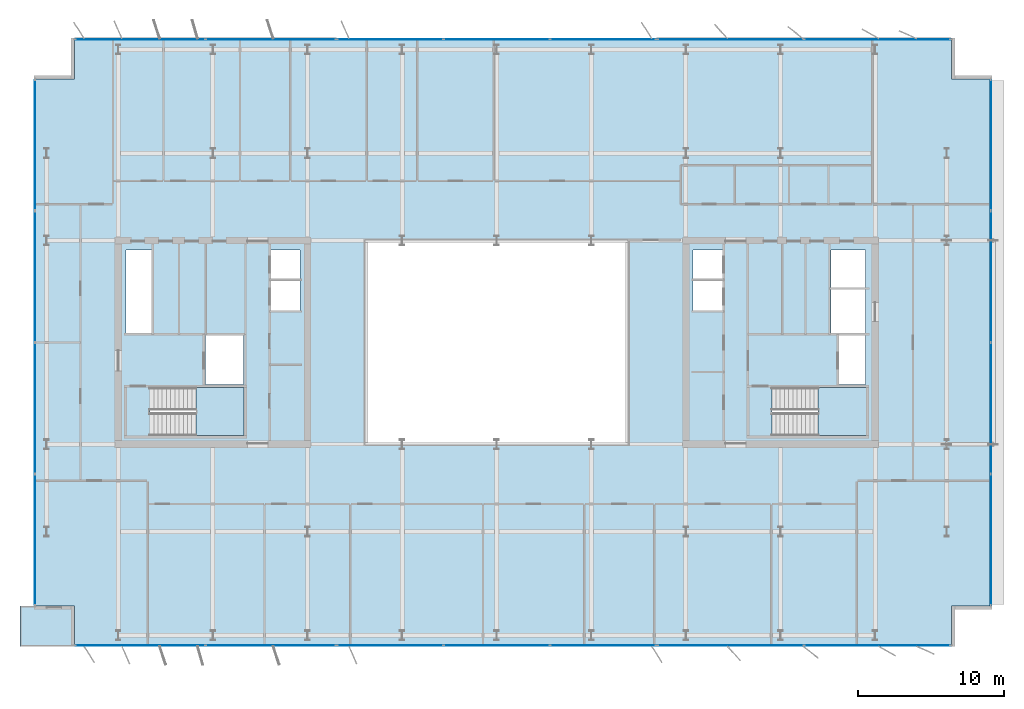
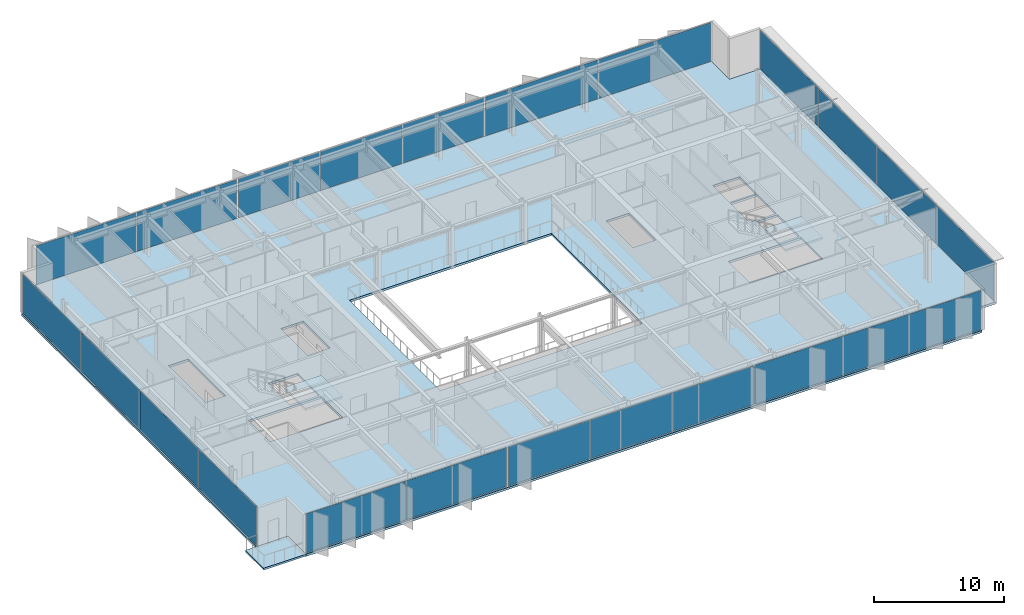
# One storey, part 11 of 20: 22 plates, 4 slabs, 10 elements without a shape of their own.
"""IFC4 building model written with IfcOpenShell, lengths in metres."""

from ifc_helpers import new_model, si_unit, direction, frame, origin, origin_2d, place, context, subcontext, project, spatial, polyline, rectangle, outline, extrude, material, layer, layer_set, type_object, element, aggregate, save


model = new_model("IFC4")

# Units and contexts
model_context = context("Model", 3, precision=1e-05, world=origin(), true_north=direction((0.0, 1.0)))
body_context = subcontext(model_context, "Body", "Model", "MODEL_VIEW")
ifc_project = project(units=[si_unit("LENGTHUNIT", "METRE"), si_unit("AREAUNIT", "SQUARE_METRE"), si_unit("VOLUMEUNIT", "CUBIC_METRE"), si_unit("PLANEANGLEUNIT", "RADIAN"), si_unit("MASSUNIT", "GRAM", prefix="KILO")], contexts=[model_context])

# Site, building, storey
site_placement = place(None, origin())
site = spatial("IfcSite", under=ifc_project, at=site_placement, CompositionType="ELEMENT")
building_placement = place(site_placement, origin())
building = spatial("IfcBuilding", under=site, at=building_placement, Name="Putna Gate Headquarters", CompositionType="ELEMENT")
storey_placement = place(building_placement, frame((0.0, 0.0, 286.39990234375)))
storey = spatial("IfcBuildingStorey", under=building, at=storey_placement, Name="L72", CompositionType="ELEMENT", Elevation=286.39990234375)

# Stair, slab
ifc_material_1 = material(Name="Concrete C40/50", Category="concrete")
stair_type_1 = type_object("IfcStairType", Name="STAIR-ST1", PredefinedType="HALF_TURN_STAIR", material=ifc_material_1)
stair_1_placement = place(storey_placement, origin())
stair_1 = element("IfcStair", 1, at=stair_1_placement, inside=storey, type_object=stair_type_1, Name="L72 West Core Exit Stair ST1", PredefinedType="HALF_TURN_STAIR")
ifc_layer_1 = layer(ifc_material_1, 0.199951171875)
ifc_layer_set_1 = layer_set([ifc_layer_1], Name="Concrete C40/50")
slab_type_1 = type_object("IfcSlabType", Name="LANDING-ST1", PredefinedType="LANDING", material=ifc_layer_set_1)
slab_1_placement = place(storey_placement, frame((0.0, 0.0, 1.800048828125)))
slab_1 = element("IfcSlab", 2, at=slab_1_placement, type_object=slab_type_1, Name="ST1 landing 1", PredefinedType="LANDING", context=body_context, shape_type="SweptSolid", body=[
    extrude(outline(polyline([(18.340087890625, 19.60009765625), (21.64990234375, 19.60009765625), (21.64990234375, 22.89990234375), (18.340087890625, 22.89990234375), (18.340087890625, 19.60009765625)])), origin(), (0.0, 0.0, 1.0), 0.199951171875),
])
aggregate(stair_1, [slab_1])

stair_type_2 = type_object("IfcStairType", Name="STAIR-ST2", PredefinedType="HALF_TURN_STAIR", material=ifc_material_1)
stair_2_placement = place(storey_placement, origin())
stair_2 = element("IfcStair", 3, at=stair_2_placement, inside=storey, type_object=stair_type_2, Name="L72 East Core Exit Stair ST2", PredefinedType="HALF_TURN_STAIR")
ifc_layer_2 = layer(ifc_material_1, 0.199951171875)
ifc_layer_set_2 = layer_set([ifc_layer_2], Name="Concrete C40/50")
slab_type_2 = type_object("IfcSlabType", Name="LANDING-ST2", PredefinedType="LANDING", material=ifc_layer_set_2)
slab_2_placement = place(storey_placement, frame((0.0, 0.0, 1.800048828125)))
slab_2 = element("IfcSlab", 4, at=slab_2_placement, type_object=slab_type_2, Name="ST2 landing 1", PredefinedType="LANDING", context=body_context, shape_type="SweptSolid", body=[
    extrude(outline(polyline([(61.090087890625, 19.60009765625), (64.39990234375, 19.60009765625), (64.39990234375, 22.89990234375), (61.090087890625, 22.89990234375), (61.090087890625, 19.60009765625)])), origin(), (0.0, 0.0, 1.0), 0.199951171875),
])
aggregate(stair_2, [slab_2])

# Curtain wall, plates
ifc_material_2 = material(Name="Anodised bronze aluminium curtain wall", Category="aluminium")
ifc_layer_3 = layer(ifc_material_2, 0.179931640625)
ifc_layer_set_3 = layer_set([ifc_layer_3], Name="Anodised bronze aluminium curtain wall")
curtain_wall_type_1 = type_object("IfcCurtainWallType", Name="CW-SYS-Z5", PredefinedType="USERDEFINED", material=ifc_layer_set_3)
curtain_wall_1_placement = place(storey_placement, origin())
curtain_wall_1 = element("IfcCurtainWall", 5, at=curtain_wall_1_placement, inside=storey, type_object=curtain_wall_type_1, Name="L72 South West Curtain Wall", ObjectType="STICK CURTAIN WALL", PredefinedType="USERDEFINED")
ifc_material_3 = material(Name="Solar-control triple low-E glass", Category="glass")
ifc_layer_4 = layer(ifc_material_3, 0.033935546875)
ifc_layer_set_4 = layer_set([ifc_layer_4], Name="Solar-control triple low-E glass")
plate_type_1 = type_object("IfcPlateType", Name="PAN-CWP-5", PredefinedType="CURTAIN_PANEL", material=ifc_layer_set_4)
plate_1_placement = place(storey_placement, frame((14.517578125, 5.179931640625, 0.06005859375), z_axis=(0.0, 0.0, 1.0), x_axis=(1.0, 0.0, 0.0)))
plate_1 = element("IfcPlate", 6, at=plate_1_placement, type_object=plate_type_1, Name="CWS-5 panel 1.1", PredefinedType="CURTAIN_PANEL", context=body_context, shape_type="SweptSolid", body=[
    extrude(rectangle(XDim=8.89501953125, YDim=0.033935546875, at=origin_2d()), origin(), (0.0, 0.0, 1.0), 3.66796875),
])
plate_2_placement = place(storey_placement, frame((23.482421875, 5.179931640625, 0.06005859375), z_axis=(0.0, 0.0, 1.0), x_axis=(1.0, 0.0, 0.0)))
plate_2 = element("IfcPlate", 7, at=plate_2_placement, type_object=plate_type_1, Name="CWS-5 panel 2.1", PredefinedType="CURTAIN_PANEL", context=body_context, shape_type="SweptSolid", body=[
    extrude(rectangle(XDim=8.89501953125, YDim=0.033935546875, at=origin_2d()), origin(), (0.0, 0.0, 1.0), 3.66796875),
])
aggregate(curtain_wall_1, [plate_1, plate_2])

curtain_wall_2_placement = place(storey_placement, origin())
curtain_wall_2 = element("IfcCurtainWall", 8, at=curtain_wall_2_placement, inside=storey, type_object=curtain_wall_type_1, Name="L72 South East Curtain Wall", ObjectType="STICK CURTAIN WALL", PredefinedType="USERDEFINED")
plate_3_placement = place(storey_placement, frame((55.076171875, 5.179931640625, 0.06005859375), z_axis=(0.0, 0.0, 1.0), x_axis=(1.0, 0.0, 0.0)))
plate_3 = element("IfcPlate", 9, at=plate_3_placement, type_object=plate_type_1, Name="CWS-5 panel 1.1", PredefinedType="CURTAIN_PANEL", context=body_context, shape_type="SweptSolid", body=[
    extrude(rectangle(XDim=10.012451171875, YDim=0.033935546875, at=origin_2d()), origin(), (0.0, 0.0, 1.0), 3.66796875),
])
plate_4_placement = place(storey_placement, frame((65.158935546875, 5.179931640625, 0.06005859375), z_axis=(0.0, 0.0, 1.0), x_axis=(1.0, 0.0, 0.0)))
plate_4 = element("IfcPlate", 10, at=plate_4_placement, type_object=plate_type_1, Name="CWS-5 panel 2.1", PredefinedType="CURTAIN_PANEL", context=body_context, shape_type="SweptSolid", body=[
    extrude(rectangle(XDim=10.012451171875, YDim=0.033935546875, at=origin_2d()), origin(), (0.0, 0.0, 1.0), 3.66796875),
])
aggregate(curtain_wall_2, [plate_3, plate_4])

curtain_wall_3_placement = place(storey_placement, origin())
curtain_wall_3 = element("IfcCurtainWall", 11, at=curtain_wall_3_placement, inside=storey, type_object=curtain_wall_type_1, Name="L72 North West Curtain Wall", ObjectType="STICK CURTAIN WALL", PredefinedType="USERDEFINED")
plate_5_placement = place(storey_placement, frame((14.517578125, 46.820068359375, 0.06005859375), z_axis=(0.0, 0.0, 1.0), x_axis=(1.0, 0.0, 0.0)))
plate_5 = element("IfcPlate", 12, at=plate_5_placement, type_object=plate_type_1, Name="CWS-5 panel 1.1", PredefinedType="CURTAIN_PANEL", context=body_context, shape_type="SweptSolid", body=[
    extrude(rectangle(XDim=8.89501953125, YDim=0.033935546875, at=origin_2d()), origin(), (0.0, 0.0, 1.0), 3.66796875),
])
plate_6_placement = place(storey_placement, frame((23.482421875, 46.820068359375, 0.06005859375), z_axis=(0.0, 0.0, 1.0), x_axis=(1.0, 0.0, 0.0)))
plate_6 = element("IfcPlate", 13, at=plate_6_placement, type_object=plate_type_1, Name="CWS-5 panel 2.1", PredefinedType="CURTAIN_PANEL", context=body_context, shape_type="SweptSolid", body=[
    extrude(rectangle(XDim=8.89501953125, YDim=0.033935546875, at=origin_2d()), origin(), (0.0, 0.0, 1.0), 3.66796875),
])
aggregate(curtain_wall_3, [plate_5, plate_6])

curtain_wall_4_placement = place(storey_placement, origin())
curtain_wall_4 = element("IfcCurtainWall", 14, at=curtain_wall_4_placement, inside=storey, type_object=curtain_wall_type_1, Name="L72 North East Curtain Wall", ObjectType="STICK CURTAIN WALL", PredefinedType="USERDEFINED")
plate_7_placement = place(storey_placement, frame((55.076171875, 46.820068359375, 0.06005859375), z_axis=(0.0, 0.0, 1.0), x_axis=(1.0, 0.0, 0.0)))
plate_7 = element("IfcPlate", 15, at=plate_7_placement, type_object=plate_type_1, Name="CWS-5 panel 1.1", PredefinedType="CURTAIN_PANEL", context=body_context, shape_type="SweptSolid", body=[
    extrude(rectangle(XDim=10.012451171875, YDim=0.033935546875, at=origin_2d()), origin(), (0.0, 0.0, 1.0), 3.66796875),
])
plate_8_placement = place(storey_placement, frame((65.158935546875, 46.820068359375, 0.06005859375), z_axis=(0.0, 0.0, 1.0), x_axis=(1.0, 0.0, 0.0)))
plate_8 = element("IfcPlate", 16, at=plate_8_placement, type_object=plate_type_1, Name="CWS-5 panel 2.1", PredefinedType="CURTAIN_PANEL", context=body_context, shape_type="SweptSolid", body=[
    extrude(rectangle(XDim=10.012451171875, YDim=0.033935546875, at=origin_2d()), origin(), (0.0, 0.0, 1.0), 3.66796875),
])
aggregate(curtain_wall_4, [plate_7, plate_8])

curtain_wall_5_placement = place(storey_placement, origin())
curtain_wall_5 = element("IfcCurtainWall", 17, at=curtain_wall_5_placement, inside=storey, type_object=curtain_wall_type_1, Name="L72 West Curtain Wall", ObjectType="STICK CURTAIN WALL", PredefinedType="USERDEFINED")
plate_9_placement = place(storey_placement, frame((7.280029296875, 12.4423828125, 0.06005859375), z_axis=(0.0, 0.0, 1.0), x_axis=(0.0, 1.0, 0.0)))
plate_9 = element("IfcPlate", 18, at=plate_9_placement, type_object=plate_type_1, Name="CWS-5 panel 1.1", PredefinedType="CURTAIN_PANEL", context=body_context, shape_type="SweptSolid", body=[
    extrude(rectangle(XDim=8.945068359375, YDim=0.033935546875, at=origin_2d()), origin(), (0.0, 0.0, 1.0), 3.66796875),
])
plate_10_placement = place(storey_placement, frame((7.280029296875, 21.47509765625, 0.06005859375), z_axis=(0.0, 0.0, 1.0), x_axis=(0.0, 1.0, 0.0)))
plate_10 = element("IfcPlate", 19, at=plate_10_placement, type_object=plate_type_1, Name="CWS-5 panel 2.1", PredefinedType="CURTAIN_PANEL", context=body_context, shape_type="SweptSolid", body=[
    extrude(rectangle(XDim=8.97998046875, YDim=0.033935546875, at=origin_2d()), origin(), (0.0, 0.0, 1.0), 3.66796875),
])
plate_11_placement = place(storey_placement, frame((7.280029296875, 30.52490234375, 0.06005859375), z_axis=(0.0, 0.0, 1.0), x_axis=(0.0, 1.0, 0.0)))
plate_11 = element("IfcPlate", 20, at=plate_11_placement, type_object=plate_type_1, Name="CWS-5 panel 3.1", PredefinedType="CURTAIN_PANEL", context=body_context, shape_type="SweptSolid", body=[
    extrude(rectangle(XDim=8.97998046875, YDim=0.033935546875, at=origin_2d()), origin(), (0.0, 0.0, 1.0), 3.66796875),
])
plate_12_placement = place(storey_placement, frame((7.280029296875, 39.5576171875, 0.06005859375), z_axis=(0.0, 0.0, 1.0), x_axis=(0.0, 1.0, 0.0)))
plate_12 = element("IfcPlate", 21, at=plate_12_placement, type_object=plate_type_1, Name="CWS-5 panel 4.1", PredefinedType="CURTAIN_PANEL", context=body_context, shape_type="SweptSolid", body=[
    extrude(rectangle(XDim=8.945068359375, YDim=0.033935546875, at=origin_2d()), origin(), (0.0, 0.0, 1.0), 3.66796875),
])
aggregate(curtain_wall_5, [plate_9, plate_10, plate_11, plate_12])

curtain_wall_6_placement = place(storey_placement, origin())
curtain_wall_6 = element("IfcCurtainWall", 22, at=curtain_wall_6_placement, inside=storey, type_object=curtain_wall_type_1, Name="L72 East Curtain Wall", ObjectType="STICK CURTAIN WALL", PredefinedType="USERDEFINED")
plate_13_placement = place(storey_placement, frame((72.955078125, 12.4423828125, 0.06005859375), z_axis=(0.0, 0.0, 1.0), x_axis=(0.0, 1.0, 0.0)))
plate_13 = element("IfcPlate", 23, at=plate_13_placement, type_object=plate_type_1, Name="CWS-5 panel 1.1", PredefinedType="CURTAIN_PANEL", context=body_context, shape_type="SweptSolid", body=[
    extrude(rectangle(XDim=8.945068359375, YDim=0.033935546875, at=origin_2d()), origin(), (0.0, 0.0, 1.0), 3.66796875),
])
plate_14_placement = place(storey_placement, frame((72.955078125, 21.47509765625, 0.06005859375), z_axis=(0.0, 0.0, 1.0), x_axis=(0.0, 1.0, 0.0)))
plate_14 = element("IfcPlate", 24, at=plate_14_placement, type_object=plate_type_1, Name="CWS-5 panel 2.1", PredefinedType="CURTAIN_PANEL", context=body_context, shape_type="SweptSolid", body=[
    extrude(rectangle(XDim=8.97998046875, YDim=0.033935546875, at=origin_2d()), origin(), (0.0, 0.0, 1.0), 3.66796875),
])
plate_15_placement = place(storey_placement, frame((72.955078125, 30.52490234375, 0.06005859375), z_axis=(0.0, 0.0, 1.0), x_axis=(0.0, 1.0, 0.0)))
plate_15 = element("IfcPlate", 25, at=plate_15_placement, type_object=plate_type_1, Name="CWS-5 panel 3.1", PredefinedType="CURTAIN_PANEL", context=body_context, shape_type="SweptSolid", body=[
    extrude(rectangle(XDim=8.97998046875, YDim=0.033935546875, at=origin_2d()), origin(), (0.0, 0.0, 1.0), 3.66796875),
])
plate_16_placement = place(storey_placement, frame((72.955078125, 39.5576171875, 0.06005859375), z_axis=(0.0, 0.0, 1.0), x_axis=(0.0, 1.0, 0.0)))
plate_16 = element("IfcPlate", 26, at=plate_16_placement, type_object=plate_type_1, Name="CWS-5 panel 4.1", PredefinedType="CURTAIN_PANEL", context=body_context, shape_type="SweptSolid", body=[
    extrude(rectangle(XDim=8.945068359375, YDim=0.033935546875, at=origin_2d()), origin(), (0.0, 0.0, 1.0), 3.66796875),
])
aggregate(curtain_wall_6, [plate_13, plate_14, plate_15, plate_16])

ifc_layer_5 = layer(ifc_material_2, 0.179931640625)
ifc_layer_set_5 = layer_set([ifc_layer_5], Name="Anodised bronze aluminium curtain wall")
curtain_wall_type_2 = type_object("IfcCurtainWallType", Name="CW-SYS-ATR", PredefinedType="USERDEFINED", material=ifc_layer_set_5)
curtain_wall_7_placement = place(storey_placement, origin())
curtain_wall_7 = element("IfcCurtainWall", 27, at=curtain_wall_7_placement, inside=storey, type_object=curtain_wall_type_2, Name="L72 South Atrium Clear Glazing", ObjectType="ATRIUM GLAZING", PredefinedType="USERDEFINED")
ifc_material_4 = material(Name="Clear low-iron triple glazing", Category="glass")
ifc_layer_6 = layer(ifc_material_4, 0.0400390625)
ifc_layer_set_6 = layer_set([ifc_layer_6], Name="Clear low-iron triple glazing")
plate_type_2 = type_object("IfcPlateType", Name="PAN-CWP-AT", PredefinedType="CURTAIN_PANEL", material=ifc_layer_set_6)
plate_17_placement = place(storey_placement, frame((31.68408203125, 5.179931640625, 0.070068359375), z_axis=(0.0, 0.0, 1.0), x_axis=(1.0, 0.0, 0.0)))
plate_17 = element("IfcPlate", 28, at=plate_17_placement, type_object=plate_type_2, Name="CWS-AT panel 1.1", PredefinedType="CURTAIN_PANEL", context=body_context, shape_type="SweptSolid", body=[
    extrude(rectangle(XDim=7.228271484375, YDim=0.0400390625, at=origin_2d()), origin(), (0.0, 0.0, 1.0), 3.64794921875),
])
plate_18_placement = place(storey_placement, frame((39.0, 5.179931640625, 0.070068359375), z_axis=(0.0, 0.0, 1.0), x_axis=(1.0, 0.0, 0.0)))
plate_18 = element("IfcPlate", 29, at=plate_18_placement, type_object=plate_type_2, Name="CWS-AT panel 2.1", PredefinedType="CURTAIN_PANEL", context=body_context, shape_type="SweptSolid", body=[
    extrude(rectangle(XDim=7.263427734375, YDim=0.0400390625, at=origin_2d()), origin(), (0.0, 0.0, 1.0), 3.64794921875),
])
plate_19_placement = place(storey_placement, frame((46.31591796875, 5.179931640625, 0.070068359375), z_axis=(0.0, 0.0, 1.0), x_axis=(1.0, 0.0, 0.0)))
plate_19 = element("IfcPlate", 30, at=plate_19_placement, type_object=plate_type_2, Name="CWS-AT panel 3.1", PredefinedType="CURTAIN_PANEL", context=body_context, shape_type="SweptSolid", body=[
    extrude(rectangle(XDim=7.228271484375, YDim=0.0400390625, at=origin_2d()), origin(), (0.0, 0.0, 1.0), 3.64794921875),
])
aggregate(curtain_wall_7, [plate_17, plate_18, plate_19])

curtain_wall_8_placement = place(storey_placement, origin())
curtain_wall_8 = element("IfcCurtainWall", 31, at=curtain_wall_8_placement, inside=storey, type_object=curtain_wall_type_2, Name="L72 North Atrium Clear Glazing", ObjectType="ATRIUM GLAZING", PredefinedType="USERDEFINED")
plate_20_placement = place(storey_placement, frame((31.68408203125, 46.820068359375, 0.070068359375), z_axis=(0.0, 0.0, 1.0), x_axis=(1.0, 0.0, 0.0)))
plate_20 = element("IfcPlate", 32, at=plate_20_placement, type_object=plate_type_2, Name="CWS-AT panel 1.1", PredefinedType="CURTAIN_PANEL", context=body_context, shape_type="SweptSolid", body=[
    extrude(rectangle(XDim=7.228271484375, YDim=0.0400390625, at=origin_2d()), origin(), (0.0, 0.0, 1.0), 3.64794921875),
])
plate_21_placement = place(storey_placement, frame((39.0, 46.820068359375, 0.070068359375), z_axis=(0.0, 0.0, 1.0), x_axis=(1.0, 0.0, 0.0)))
plate_21 = element("IfcPlate", 33, at=plate_21_placement, type_object=plate_type_2, Name="CWS-AT panel 2.1", PredefinedType="CURTAIN_PANEL", context=body_context, shape_type="SweptSolid", body=[
    extrude(rectangle(XDim=7.263427734375, YDim=0.0400390625, at=origin_2d()), origin(), (0.0, 0.0, 1.0), 3.64794921875),
])
plate_22_placement = place(storey_placement, frame((46.31591796875, 46.820068359375, 0.070068359375), z_axis=(0.0, 0.0, 1.0), x_axis=(1.0, 0.0, 0.0)))
plate_22 = element("IfcPlate", 34, at=plate_22_placement, type_object=plate_type_2, Name="CWS-AT panel 3.1", PredefinedType="CURTAIN_PANEL", context=body_context, shape_type="SweptSolid", body=[
    extrude(rectangle(XDim=7.228271484375, YDim=0.0400390625, at=origin_2d()), origin(), (0.0, 0.0, 1.0), 3.64794921875),
])
aggregate(curtain_wall_8, [plate_20, plate_21, plate_22])

# Slabs
ifc_layer_7 = layer(ifc_material_1, 0.179931640625)
ifc_layer_set_7 = layer_set([ifc_layer_7], Name="Concrete C40/50")
slab_type_3 = type_object("IfcSlabType", Name="SLAB-TERRACE-180", PredefinedType="FLOOR", material=ifc_layer_set_7)
slab_3_placement = place(storey_placement, frame((0.0, 0.0, -0.179931640625)))
element("IfcSlab", 35, at=slab_3_placement, inside=storey, type_object=slab_type_3, Name="L72 Spiral Sky-Garden Terrace Slab (SW)", PredefinedType="FLOOR", context=body_context, shape_type="SweptSolid", body=[
    extrude(outline(polyline([(6.25, 5.10009765625), (10.008056640625, 5.10009765625), (10.008056640625, 7.907958984375), (6.25, 7.907958984375), (6.25, 5.10009765625)])), origin(), (0.0, 0.0, 1.0), 0.179931640625),
])
ifc_layer_8 = layer(ifc_material_1, 0.2119140625)
ifc_layer_set_8 = layer_set([ifc_layer_8], Name="Concrete C40/50")
slab_type_4 = type_object("IfcSlabType", Name="SLAB-Z5-212", PredefinedType="FLOOR", material=ifc_layer_set_8)
slab_4_placement = place(storey_placement, frame((0.0, 0.0, -0.2119140625)))
element("IfcSlab", 36, at=slab_4_placement, inside=storey, type_object=slab_type_4, Name="L72 Composite Floor Slab", PredefinedType="FLOOR", context=body_context, shape_type="SweptSolid", body=[
    extrude(outline(polyline([(10.0, 5.10009765625), (70.235107421875, 5.10009765625), (70.235107421875, 7.89990234375), (73.03515625, 7.89990234375), (73.03515625, 44.10009765625), (70.235107421875, 44.10009765625), (70.235107421875, 46.89990234375), (10.0, 46.89990234375), (10.0, 44.10009765625), (7.199951171875, 44.10009765625), (7.199951171875, 7.89990234375), (10.0, 7.89990234375), (10.0, 5.10009765625)]), holes=[polyline([(15.1650390625, 19.60009765625), (21.64990234375, 19.60009765625), (21.64990234375, 22.89990234375), (15.1650390625, 22.89990234375), (15.1650390625, 19.60009765625)]), polyline([(57.9150390625, 19.60009765625), (64.39990234375, 19.60009765625), (64.39990234375, 22.89990234375), (57.9150390625, 22.89990234375), (57.9150390625, 19.60009765625)]), polyline([(13.52001953125, 26.659912109375), (15.280029296875, 26.659912109375), (15.280029296875, 32.35009765625), (13.52001953125, 32.35009765625), (13.52001953125, 26.659912109375)]), polyline([(61.969970703125, 29.780029296875), (64.35009765625, 29.780029296875), (64.35009765625, 32.35009765625), (61.969970703125, 32.35009765625), (61.969970703125, 29.780029296875)]), polyline([(18.97998046875, 23.1201171875), (21.6201171875, 23.1201171875), (21.6201171875, 26.4599609375), (18.97998046875, 26.4599609375), (18.97998046875, 23.1201171875)]), polyline([(62.52001953125, 23.1201171875), (64.35009765625, 23.1201171875), (64.35009765625, 26.4599609375), (62.52001953125, 26.4599609375), (62.52001953125, 23.1201171875)]), polyline([(61.969970703125, 26.659912109375), (64.35009765625, 26.659912109375), (64.35009765625, 29.6201171875), (61.969970703125, 29.6201171875), (61.969970703125, 26.659912109375)]), polyline([(23.5, 28.199951171875), (25.5, 28.199951171875), (25.5, 32.35009765625), (23.5, 32.35009765625), (23.5, 28.199951171875)]), polyline([(52.47998046875, 28.199951171875), (54.5, 28.199951171875), (54.5, 32.35009765625), (52.47998046875, 32.35009765625), (52.47998046875, 28.199951171875)]), polyline([(30.0, 19.0), (48.0, 19.0), (48.0, 33.0), (30.0, 33.0), (30.0, 19.0)])]), origin(), (0.0, 0.0, 1.0), 0.2119140625),
])

save(model, "model.ifc")
